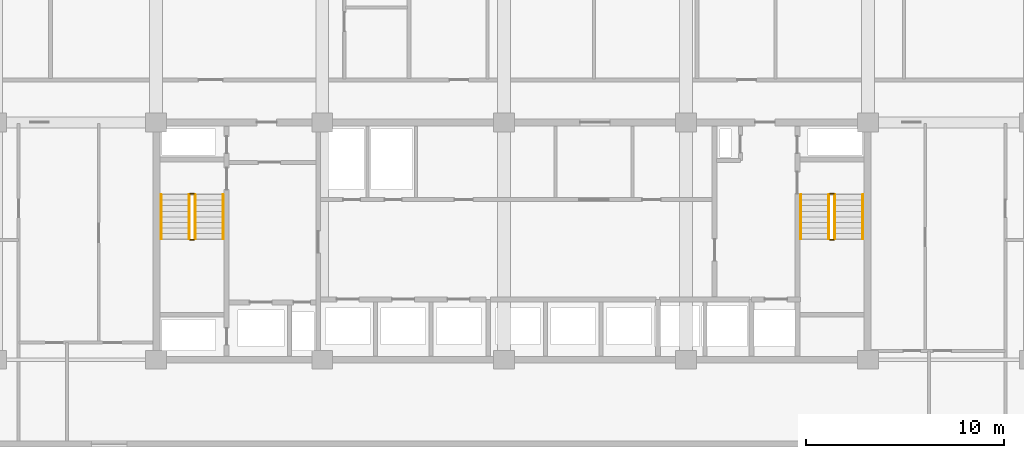
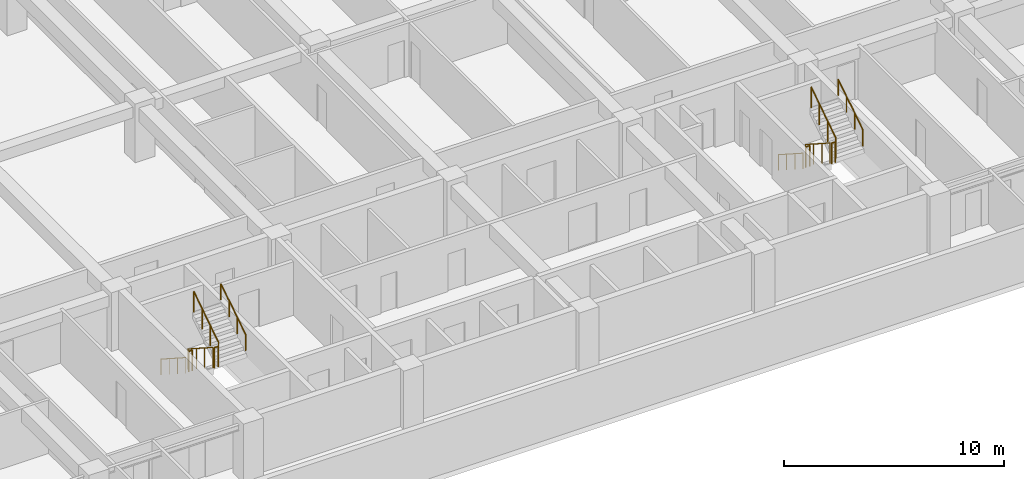
# One storey, part 22 of 23: 12 railings.
"""IFC4 building model written with IfcOpenShell, lengths in metres."""

import ifcopenshell
import ifcopenshell.guid

model = None  # the IFC model being written
_history = None  # IfcOwnerHistory: only IFC2X3 demands one
_inside = {}  # id of a spatial element -> (the spatial element, [elements in it])
_under = {}  # id of a project, library or spatial element -> (it, [spatial elements below it])
_declared = {}  # id of a project -> (the project, [libraries it declares])
_typed = {}  # id of a type object -> (the type object, [elements of that type])
_made_of = {}  # id of a material, layer set ... -> (it, [elements and type objects made of it])


def new_model(schema):
    """Start an empty IFC model of exactly this schema.

    Asked for "IFC4X3", IfcOpenShell would pick the latest addendum, in which some entities
    have other attributes; the version numbers below select the first issue.
    IFC2X3 requires an IfcOwnerHistory on every rooted entity: one is made here for all.
    """
    global model, _history
    if schema == "IFC4X3":
        model = ifcopenshell.file(schema_version=(4, 3, 0, 0))
    else:
        model = ifcopenshell.file(schema=schema)
    _inside.clear()
    _under.clear()
    _declared.clear()
    _typed.clear()
    _made_of.clear()
    _history = None
    if model.schema == "IFC2X3":
        org = make("IfcOrganization", Name="unknown")
        user = make(
            "IfcPersonAndOrganization",
            ThePerson=make("IfcPerson", FamilyName="unknown"),
            TheOrganization=org,
        )
        app = make(
            "IfcApplication",
            ApplicationDeveloper=org,
            Version="unknown",
            ApplicationFullName="unknown",
            ApplicationIdentifier="unknown",
        )
        _history = make(
            "IfcOwnerHistory",
            OwningUser=user,
            OwningApplication=app,
            ChangeAction="ADDED",
            CreationDate=0,
        )
    return model


def make(cls, **values):
    """One entity of the class cls with the attributes given. An attribute that is None is left unset."""
    return model.create_entity(
        cls, **{name: value for name, value in values.items() if value is not None}
    )


def rooted(cls, **values):
    """An entity with a GlobalId (a new one), such as an element, a storey or a relation."""
    return make(cls, GlobalId=ifcopenshell.guid.new(), OwnerHistory=_history, **values)


def si_unit(unit_type, name, prefix=None):
    """IfcSIUnit, for example si_unit("LENGTHUNIT", "METRE", prefix="MILLI")."""
    return make("IfcSIUnit", UnitType=unit_type, Prefix=prefix, Name=name)


def assignment(units):
    """IfcUnitAssignment: the units of a project."""
    return None if units is None else make("IfcUnitAssignment", Units=units)


def point(xyz):
    """IfcCartesianPoint."""
    return None if xyz is None else make("IfcCartesianPoint", Coordinates=xyz)


def direction(xyz):
    """IfcDirection."""
    return None if xyz is None else make("IfcDirection", DirectionRatios=xyz)


def frame(location, z_axis=None, x_axis=None):
    """IfcAxis2Placement3D, a coordinate frame: its origin and axes. An axis left out is left unset."""
    return make(
        "IfcAxis2Placement3D",
        Location=point(location),
        Axis=direction(z_axis),
        RefDirection=direction(x_axis),
    )


def frame_2d(location, x_axis=None):
    """IfcAxis2Placement2D, a coordinate frame in the plane: its origin and x axis."""
    return make(
        "IfcAxis2Placement2D", Location=point(location), RefDirection=direction(x_axis)
    )


def origin():
    """The frame at (0, 0, 0) with its axes left unset."""
    return frame((0.0, 0.0, 0.0))


def origin_2d():
    """The frame at (0, 0) in the plane with its x axis left unset."""
    return frame_2d((0.0, 0.0))


def place(relative_to, where):
    """IfcLocalPlacement: puts the frame where relative to a parent placement (None: the world)."""
    return make(
        "IfcLocalPlacement", PlacementRelTo=relative_to, RelativePlacement=where
    )


def context(
    kind, dimensions, precision=None, world=None, true_north=None, identifier=None
):
    """IfcGeometricRepresentationContext, for example the 3D "Model" context."""
    return make(
        "IfcGeometricRepresentationContext",
        ContextIdentifier=identifier,
        ContextType=kind,
        CoordinateSpaceDimension=dimensions,
        Precision=precision,
        WorldCoordinateSystem=world,
        TrueNorth=true_north,
    )


def subcontext(parent, identifier, kind, view, scale=None):
    """IfcGeometricRepresentationSubContext, for example "Body" below "Model"."""
    return make(
        "IfcGeometricRepresentationSubContext",
        ContextIdentifier=identifier,
        ContextType=kind,
        ParentContext=parent,
        TargetScale=scale,
        TargetView=view,
    )


def project(units=None, contexts=None):
    """IfcProject with its units and contexts."""
    return rooted(
        "IfcProject",
        Name="project",
        RepresentationContexts=contexts,
        UnitsInContext=assignment(units),
    )


def spatial(cls, under=None, at=None, **own):
    """A site, building, storey or space (cls), placed at a placement, below another one or the project."""
    s = rooted(cls, ObjectPlacement=at, **own)
    if under is not None:
        _under.setdefault(under.id(), (under, []))[1].append(s)
    return s


def profile(cls, at=None, kind="AREA", **sizes):
    """A parametric profile (cls). Its sizes go by their IFC names, for example OverallWidth=200.0."""
    return make(cls, ProfileType=kind, Position=at, **sizes)


def circle(**sizes):
    """IfcCircleProfileDef."""
    return profile("IfcCircleProfileDef", **sizes)


def extrude(swept, where, along, depth):
    """IfcExtrudedAreaSolid: the profile swept, set in the frame where, extruded along a direction by depth."""
    return make(
        "IfcExtrudedAreaSolid",
        SweptArea=swept,
        Position=where,
        ExtrudedDirection=direction(along),
        Depth=depth,
    )


def shape(context_of_items, identifier, shape_type, items):
    """IfcShapeRepresentation: the items that make up one representation, for example the "Body"."""
    return make(
        "IfcShapeRepresentation",
        ContextOfItems=context_of_items,
        RepresentationIdentifier=identifier,
        RepresentationType=shape_type,
        Items=items,
    )


def material(Name=None, Category=None):
    """IfcMaterial."""
    return make("IfcMaterial", Name=Name, Category=Category)


def made_of(thing, what):
    """Note that an element or type object is made of a material, layer set ...; save() writes the relation."""
    if what is not None:
        _made_of.setdefault(what.id(), (what, []))[1].append(thing)
    return thing


def type_object(cls, material=None, **own):
    """A type object (cls), such as IfcWallType, which elements share."""
    return made_of(rooted(cls, **own), material)


def element(
    cls,
    number,
    at=None,
    inside=None,
    cuts=None,
    type_object=None,
    material=None,
    context=None,
    identifier="Body",
    shape_type=None,
    held_by="IfcProductDefinitionShape",
    body=None,
    shapes=None,
    **own,
):
    """One element of the class cls, such as IfcWall. Its Tag is "e" and its number.

    at: its placement. inside: the storey or other place that contains it. cuts: it is an
    opening in that element (IfcRelVoidsElement). A single representation is given by context,
    identifier, shape_type and body (its items); several are given by shapes. held_by: the class
    of the entity that holds the representations. save() writes the other relations.
    """
    e = rooted(cls, Tag="e%d" % number, ObjectPlacement=at, **own)
    if body is not None:
        shapes = [shape(context, identifier, shape_type, body)]
    if shapes is not None:
        e.Representation = make(held_by, Representations=shapes)
    if inside is not None:
        _inside.setdefault(inside.id(), (inside, []))[1].append(e)
    if cuts is not None:
        rooted(
            "IfcRelVoidsElement", RelatingBuildingElement=cuts, RelatedOpeningElement=e
        )
    if type_object is not None:
        _typed.setdefault(type_object.id(), (type_object, []))[1].append(e)
    return made_of(e, material)


def aggregate(whole, parts):
    """IfcRelAggregates: a whole, such as a stair, and the parts it consists of."""
    return rooted("IfcRelAggregates", RelatingObject=whole, RelatedObjects=parts)


def save(model, path):
    """Write the relations noted so far, then the file.

    IfcRelAggregates (storeys below a building ...), IfcRelContainedInSpatialStructure (elements
    in a storey), IfcRelDefinesByType, IfcRelAssociatesMaterial and IfcRelDeclares: one each for
    every whole, place, type object, material and project.
    """
    for whole, parts in _under.values():
        aggregate(whole, parts)
    for where, things in _inside.values():
        rooted(
            "IfcRelContainedInSpatialStructure",
            RelatedElements=things,
            RelatingStructure=where,
        )
    for kind, things in _typed.values():
        rooted("IfcRelDefinesByType", RelatedObjects=things, RelatingType=kind)
    for what, things in _made_of.values():
        rooted("IfcRelAssociatesMaterial", RelatedObjects=things, RelatingMaterial=what)
    for by, libraries in _declared.values():
        rooted("IfcRelDeclares", RelatingContext=by, RelatedDefinitions=libraries)
    model.write(path)


model = new_model("IFC4")

# Units and contexts
model_context = context("Model", 3, precision=1e-05, world=origin(), true_north=direction((0.0, 1.0)))
body_context = subcontext(model_context, "Body", "Model", "MODEL_VIEW")
ifc_project = project(units=[si_unit("LENGTHUNIT", "METRE"), si_unit("AREAUNIT", "SQUARE_METRE"), si_unit("VOLUMEUNIT", "CUBIC_METRE"), si_unit("PLANEANGLEUNIT", "RADIAN"), si_unit("MASSUNIT", "GRAM", prefix="KILO")], contexts=[model_context])

# Site, building, storey
site_placement = place(None, origin())
site = spatial("IfcSite", under=ifc_project, at=site_placement, CompositionType="ELEMENT")
building_placement = place(site_placement, origin())
building = spatial("IfcBuilding", under=site, at=building_placement, Name="Korimba Cascade Residences", CompositionType="ELEMENT")
storey_placement = place(building_placement, frame((0.0, 0.0, 46.75)))
storey = spatial("IfcBuildingStorey", under=building, at=storey_placement, Name="L12", CompositionType="ELEMENT", Elevation=46.75)

# Railings
ifc_material_1 = material(Name="Painted Steel Stairwell Guardrail", Category="steel")
railing_type_1 = type_object("IfcRailingType", Name="RLG-ST-GD1150", PredefinedType="GUARDRAIL", material=ifc_material_1)
railing_1_placement = place(storey_placement, frame((77.77001953125, 63.550048828125, 0.1806640625)))
element("IfcRailing", 1, at=railing_1_placement, inside=storey, type_object=railing_type_1, Name="L12 ST-W1 stair guard 1", PredefinedType="GUARDRAIL", context=body_context, shape_type="SweptSolid", body=[
    extrude(circle(Radius=0.02392578125, at=origin_2d()), frame((0.0, 0.0, 1.1259765625), z_axis=(0.0, -0.840436612492, 0.541909863706), x_axis=(1.0, 0.0, 0.0)), (0.0, 0.0, 1.0), 2.665283203125),
    extrude(circle(Radius=0.02099609375, at=origin_2d()), origin(), (0.0, 0.0, 1.0), 1.101806640625),
    extrude(circle(Radius=0.02099609375, at=origin_2d()), frame((0.0, -0.74658203125, 0.4814453125)), (0.0, 0.0, 1.0), 1.101806640625),
    extrude(circle(Radius=0.02099609375, at=origin_2d()), frame((0.0, -1.493408203125, 0.962890625)), (0.0, 0.0, 1.0), 1.101806640625),
    extrude(circle(Radius=0.02099609375, at=origin_2d()), frame((0.0, -2.239990234375, 1.4443359375)), (0.0, 0.0, 1.0), 1.101806640625),
])
railing_2_placement = place(storey_placement, frame((77.820068359375, 61.260009765625, 1.625)))
element("IfcRailing", 2, at=railing_2_placement, inside=storey, type_object=railing_type_1, Name="L12 ST-W1 stair guard 2", PredefinedType="GUARDRAIL", context=body_context, shape_type="SweptSolid", body=[
    extrude(circle(Radius=0.02392578125, at=origin_2d()), frame((0.0, 0.0, 1.1259765625), z_axis=(1.0, 0.0, 0.0), x_axis=(0.0, 1.0, 0.0)), (0.0, 0.0, 1.0), 0.199951171875),
    extrude(circle(Radius=0.02099609375, at=origin_2d()), origin(), (0.0, 0.0, 1.0), 1.101806640625),
    extrude(circle(Radius=0.02099609375, at=origin_2d()), frame((0.199951171875, 0.0, 0.0)), (0.0, 0.0, 1.0), 1.101806640625),
])
railing_3_placement = place(storey_placement, frame((78.070068359375, 61.31005859375, 1.8056640625)))
element("IfcRailing", 3, at=railing_3_placement, inside=storey, type_object=railing_type_1, Name="L12 ST-W1 stair guard 3", PredefinedType="GUARDRAIL", context=body_context, shape_type="SweptSolid", body=[
    extrude(circle(Radius=0.02392578125, at=origin_2d()), frame((0.0, 0.0, 1.1259765625), z_axis=(0.0, 0.840436612492, 0.541909863706), x_axis=(-1.0, 0.0, 0.0)), (0.0, 0.0, 1.0), 2.665283203125),
    extrude(circle(Radius=0.02099609375, at=origin_2d()), origin(), (0.0, 0.0, 1.0), 1.101806640625),
    extrude(circle(Radius=0.02099609375, at=origin_2d()), frame((0.0, 0.74658203125, 0.4814453125)), (0.0, 0.0, 1.0), 1.101806640625),
    extrude(circle(Radius=0.02099609375, at=origin_2d()), frame((0.0, 1.493408203125, 0.962890625)), (0.0, 0.0, 1.0), 1.101806640625),
    extrude(circle(Radius=0.02099609375, at=origin_2d()), frame((0.0, 2.239990234375, 1.4443359375)), (0.0, 0.0, 1.0), 1.101806640625),
])
railing_4_placement = place(storey_placement, frame((77.820068359375, 63.60009765625, 0.0)))
element("IfcRailing", 4, at=railing_4_placement, inside=storey, type_object=railing_type_1, Name="L12 ST-W1 stair guard 4", PredefinedType="GUARDRAIL", context=body_context, shape_type="SweptSolid", body=[
    extrude(circle(Radius=0.02392578125, at=origin_2d()), frame((0.0, 0.0, 1.1259765625), z_axis=(1.0, 0.0, 0.0), x_axis=(0.0, 1.0, 0.0)), (0.0, 0.0, 1.0), 0.199951171875),
    extrude(circle(Radius=0.02099609375, at=origin_2d()), origin(), (0.0, 0.0, 1.0), 1.101806640625),
    extrude(circle(Radius=0.02099609375, at=origin_2d()), frame((0.199951171875, 0.0, 0.0)), (0.0, 0.0, 1.0), 1.101806640625),
])
railing_5_placement = place(storey_placement, frame((110.1298828125, 63.550048828125, 0.1806640625)))
element("IfcRailing", 5, at=railing_5_placement, inside=storey, type_object=railing_type_1, Name="L12 ST-W2 stair guard 1", PredefinedType="GUARDRAIL", context=body_context, shape_type="SweptSolid", body=[
    extrude(circle(Radius=0.02392578125, at=origin_2d()), frame((0.0, 0.0, 1.1259765625), z_axis=(0.0, -0.840436612492, 0.541909863706), x_axis=(1.0, 0.0, 0.0)), (0.0, 0.0, 1.0), 2.665283203125),
    extrude(circle(Radius=0.02099609375, at=origin_2d()), origin(), (0.0, 0.0, 1.0), 1.101806640625),
    extrude(circle(Radius=0.02099609375, at=origin_2d()), frame((0.0, -0.74658203125, 0.4814453125)), (0.0, 0.0, 1.0), 1.101806640625),
    extrude(circle(Radius=0.02099609375, at=origin_2d()), frame((0.0, -1.493408203125, 0.962890625)), (0.0, 0.0, 1.0), 1.101806640625),
    extrude(circle(Radius=0.02099609375, at=origin_2d()), frame((0.0, -2.239990234375, 1.4443359375)), (0.0, 0.0, 1.0), 1.101806640625),
])
railing_6_placement = place(storey_placement, frame((110.179931640625, 61.260009765625, 1.625)))
element("IfcRailing", 6, at=railing_6_placement, inside=storey, type_object=railing_type_1, Name="L12 ST-W2 stair guard 2", PredefinedType="GUARDRAIL", context=body_context, shape_type="SweptSolid", body=[
    extrude(circle(Radius=0.02392578125, at=origin_2d()), frame((0.0, 0.0, 1.1259765625), z_axis=(1.0, 0.0, 0.0), x_axis=(0.0, 1.0, 0.0)), (0.0, 0.0, 1.0), 0.199951171875),
    extrude(circle(Radius=0.02099609375, at=origin_2d()), origin(), (0.0, 0.0, 1.0), 1.101806640625),
    extrude(circle(Radius=0.02099609375, at=origin_2d()), frame((0.199951171875, 0.0, 0.0)), (0.0, 0.0, 1.0), 1.101806640625),
])
railing_7_placement = place(storey_placement, frame((110.429931640625, 61.31005859375, 1.8056640625)))
element("IfcRailing", 7, at=railing_7_placement, inside=storey, type_object=railing_type_1, Name="L12 ST-W2 stair guard 3", PredefinedType="GUARDRAIL", context=body_context, shape_type="SweptSolid", body=[
    extrude(circle(Radius=0.02392578125, at=origin_2d()), frame((0.0, 0.0, 1.1259765625), z_axis=(0.0, 0.840436612492, 0.541909863706), x_axis=(-1.0, 0.0, 0.0)), (0.0, 0.0, 1.0), 2.665283203125),
    extrude(circle(Radius=0.02099609375, at=origin_2d()), origin(), (0.0, 0.0, 1.0), 1.101806640625),
    extrude(circle(Radius=0.02099609375, at=origin_2d()), frame((0.0, 0.74658203125, 0.4814453125)), (0.0, 0.0, 1.0), 1.101806640625),
    extrude(circle(Radius=0.02099609375, at=origin_2d()), frame((0.0, 1.493408203125, 0.962890625)), (0.0, 0.0, 1.0), 1.101806640625),
    extrude(circle(Radius=0.02099609375, at=origin_2d()), frame((0.0, 2.239990234375, 1.4443359375)), (0.0, 0.0, 1.0), 1.101806640625),
])
railing_8_placement = place(storey_placement, frame((110.179931640625, 63.60009765625, 0.0)))
element("IfcRailing", 8, at=railing_8_placement, inside=storey, type_object=railing_type_1, Name="L12 ST-W2 stair guard 4", PredefinedType="GUARDRAIL", context=body_context, shape_type="SweptSolid", body=[
    extrude(circle(Radius=0.02392578125, at=origin_2d()), frame((0.0, 0.0, 1.1259765625), z_axis=(1.0, 0.0, 0.0), x_axis=(0.0, 1.0, 0.0)), (0.0, 0.0, 1.0), 0.199951171875),
    extrude(circle(Radius=0.02099609375, at=origin_2d()), origin(), (0.0, 0.0, 1.0), 1.101806640625),
    extrude(circle(Radius=0.02099609375, at=origin_2d()), frame((0.199951171875, 0.0, 0.0)), (0.0, 0.0, 1.0), 1.101806640625),
])
ifc_material_2 = material(Name="Brushed Stainless Steel Handrail", Category="steel")
railing_type_2 = type_object("IfcRailingType", Name="RLG-ST-HR900", PredefinedType="HANDRAIL", material=ifc_material_2)
railing_9_placement = place(storey_placement, frame((76.35009765625, 63.550048828125, 0.364990234375)))
element("IfcRailing", 9, at=railing_9_placement, inside=storey, type_object=railing_type_2, Name="L12 ST-W1 stair handrail 1", PredefinedType="HANDRAIL", context=body_context, shape_type="SweptSolid", body=[
    extrude(circle(Radius=0.02392578125, at=origin_2d()), frame((0.0, 0.0, 0.8759765625), z_axis=(0.0, -0.840436612492, 0.541909863706), x_axis=(1.0, 0.0, 0.0)), (0.0, 0.0, 1.0), 2.665283203125),
    extrude(circle(Radius=0.02099609375, at=origin_2d()), origin(), (0.0, 0.0, 1.0), 0.851806640625),
    extrude(circle(Radius=0.02099609375, at=origin_2d()), frame((0.0, -0.74658203125, 0.4814453125)), (0.0, 0.0, 1.0), 0.851806640625),
    extrude(circle(Radius=0.02099609375, at=origin_2d()), frame((0.0, -1.493408203125, 0.962890625)), (0.0, 0.0, 1.0), 0.851806640625),
    extrude(circle(Radius=0.02099609375, at=origin_2d()), frame((0.0, -2.239990234375, 1.4443359375)), (0.0, 0.0, 1.0), 0.851806640625),
])
railing_10_placement = place(storey_placement, frame((79.489990234375, 61.31005859375, 1.989990234375)))
element("IfcRailing", 10, at=railing_10_placement, inside=storey, type_object=railing_type_2, Name="L12 ST-W1 stair handrail 2", PredefinedType="HANDRAIL", context=body_context, shape_type="SweptSolid", body=[
    extrude(circle(Radius=0.02392578125, at=origin_2d()), frame((0.0, 0.0, 0.8759765625), z_axis=(0.0, 0.840436612492, 0.541909863706), x_axis=(-1.0, 0.0, 0.0)), (0.0, 0.0, 1.0), 2.665283203125),
    extrude(circle(Radius=0.02099609375, at=origin_2d()), origin(), (0.0, 0.0, 1.0), 0.851806640625),
    extrude(circle(Radius=0.02099609375, at=origin_2d()), frame((0.0, 0.74658203125, 0.4814453125)), (0.0, 0.0, 1.0), 0.851806640625),
    extrude(circle(Radius=0.02099609375, at=origin_2d()), frame((0.0, 1.493408203125, 0.962890625)), (0.0, 0.0, 1.0), 0.851806640625),
    extrude(circle(Radius=0.02099609375, at=origin_2d()), frame((0.0, 2.239990234375, 1.4443359375)), (0.0, 0.0, 1.0), 0.851806640625),
])
railing_11_placement = place(storey_placement, frame((108.7099609375, 63.550048828125, 0.364990234375)))
element("IfcRailing", 11, at=railing_11_placement, inside=storey, type_object=railing_type_2, Name="L12 ST-W2 stair handrail 1", PredefinedType="HANDRAIL", context=body_context, shape_type="SweptSolid", body=[
    extrude(circle(Radius=0.02392578125, at=origin_2d()), frame((0.0, 0.0, 0.8759765625), z_axis=(0.0, -0.840436612492, 0.541909863706), x_axis=(1.0, 0.0, 0.0)), (0.0, 0.0, 1.0), 2.665283203125),
    extrude(circle(Radius=0.02099609375, at=origin_2d()), origin(), (0.0, 0.0, 1.0), 0.851806640625),
    extrude(circle(Radius=0.02099609375, at=origin_2d()), frame((0.0, -0.74658203125, 0.4814453125)), (0.0, 0.0, 1.0), 0.851806640625),
    extrude(circle(Radius=0.02099609375, at=origin_2d()), frame((0.0, -1.493408203125, 0.962890625)), (0.0, 0.0, 1.0), 0.851806640625),
    extrude(circle(Radius=0.02099609375, at=origin_2d()), frame((0.0, -2.239990234375, 1.4443359375)), (0.0, 0.0, 1.0), 0.851806640625),
])
railing_12_placement = place(storey_placement, frame((111.85009765625, 61.31005859375, 1.989990234375)))
element("IfcRailing", 12, at=railing_12_placement, inside=storey, type_object=railing_type_2, Name="L12 ST-W2 stair handrail 2", PredefinedType="HANDRAIL", context=body_context, shape_type="SweptSolid", body=[
    extrude(circle(Radius=0.02392578125, at=origin_2d()), frame((0.0, 0.0, 0.8759765625), z_axis=(0.0, 0.840436612492, 0.541909863706), x_axis=(-1.0, 0.0, 0.0)), (0.0, 0.0, 1.0), 2.665283203125),
    extrude(circle(Radius=0.02099609375, at=origin_2d()), origin(), (0.0, 0.0, 1.0), 0.851806640625),
    extrude(circle(Radius=0.02099609375, at=origin_2d()), frame((0.0, 0.74658203125, 0.4814453125)), (0.0, 0.0, 1.0), 0.851806640625),
    extrude(circle(Radius=0.02099609375, at=origin_2d()), frame((0.0, 1.493408203125, 0.962890625)), (0.0, 0.0, 1.0), 0.851806640625),
    extrude(circle(Radius=0.02099609375, at=origin_2d()), frame((0.0, 2.239990234375, 1.4443359375)), (0.0, 0.0, 1.0), 0.851806640625),
])

save(model, "model.ifc")
